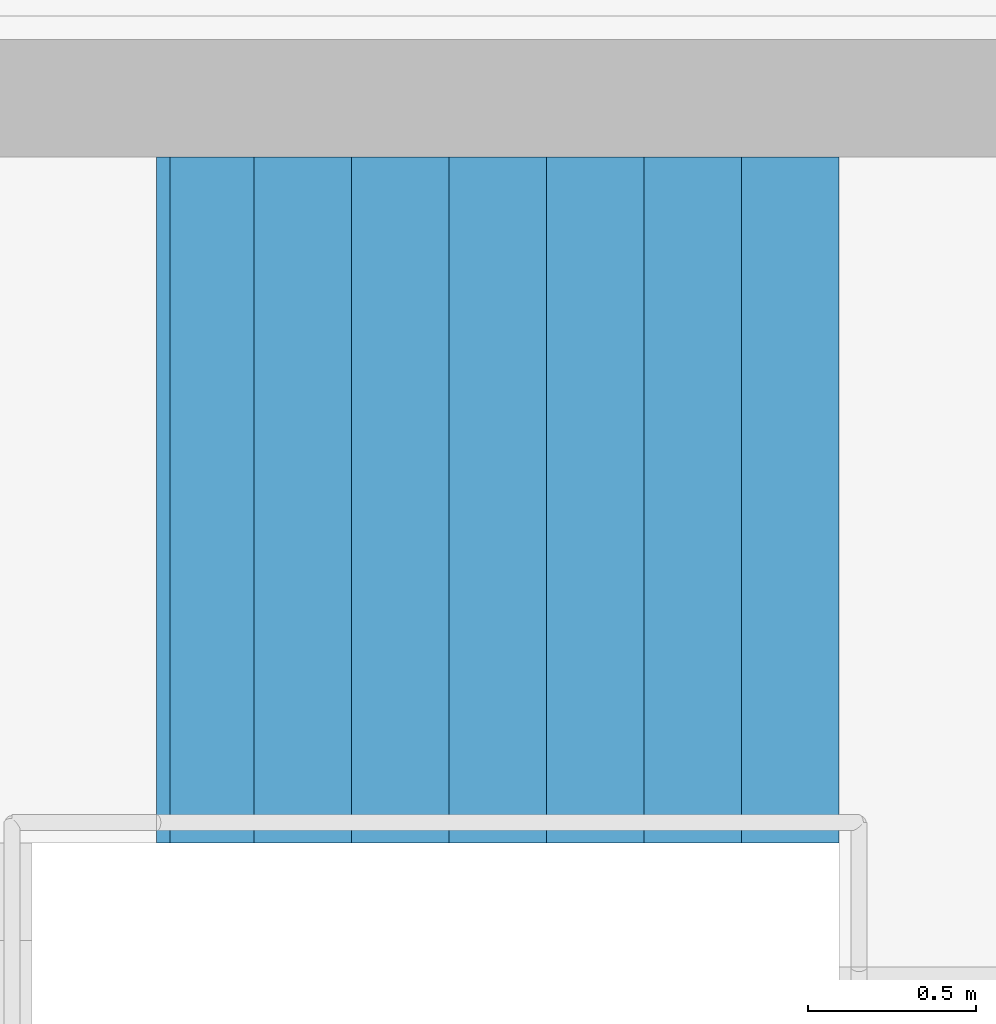
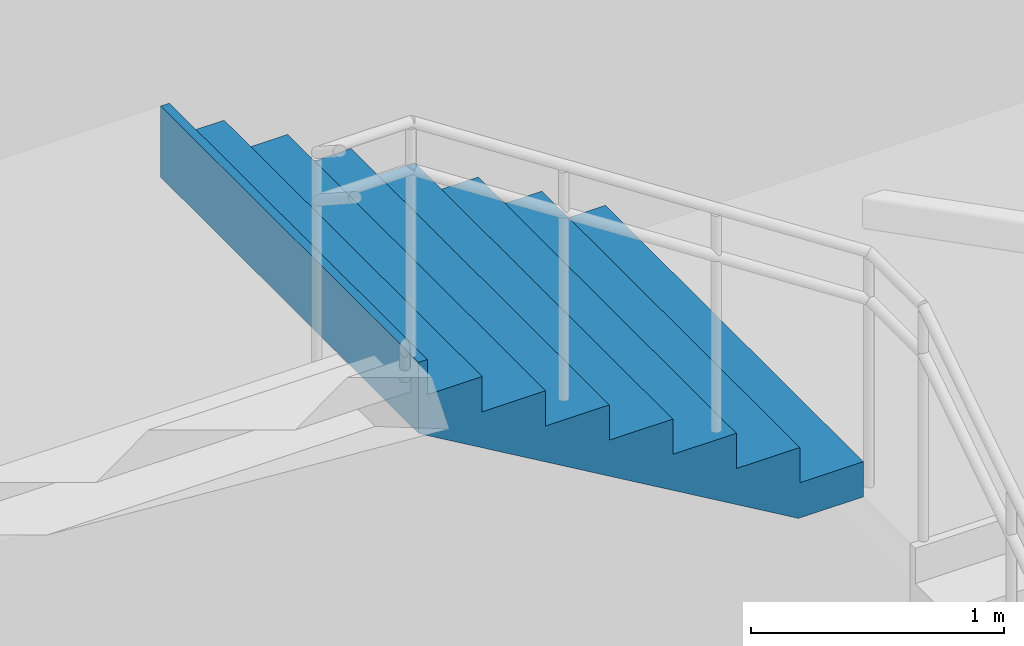
# One storey, part 57 of 74: 1 stair flight, 1 element without a shape of its own.
"""IFC4 building model written with IfcOpenShell, lengths in metres."""

from ifc_helpers import new_model, si_unit, direction, frame, origin, place, context, subcontext, project, spatial, triangles, material, type_object, element, aggregate, save


model = new_model("IFC4")

# Units and contexts
model_context = context("Model", 3, precision=1e-05, world=origin(), true_north=direction((0.0, 1.0)))
body_context = subcontext(model_context, "Body", "Model", "MODEL_VIEW")
ifc_project = project(units=[si_unit("LENGTHUNIT", "METRE"), si_unit("AREAUNIT", "SQUARE_METRE"), si_unit("VOLUMEUNIT", "CUBIC_METRE"), si_unit("PLANEANGLEUNIT", "RADIAN"), si_unit("MASSUNIT", "GRAM", prefix="KILO")], contexts=[model_context])

# Site, building, storey
site_placement = place(None, origin())
site = spatial("IfcSite", under=ifc_project, at=site_placement, CompositionType="ELEMENT")
building_placement = place(site_placement, origin())
building = spatial("IfcBuilding", under=site, at=building_placement, Name="Sillaruma Civic Art Gallery", CompositionType="ELEMENT")
storey_placement = place(building_placement, frame((0.0, 0.0, 5.43994140625)))
storey = spatial("IfcBuildingStorey", under=building, at=storey_placement, Name="L01", CompositionType="ELEMENT", Elevation=5.43994140625)

# Stair, stair flight
ifc_material = material(Name="Concrete H35 (35 MPa)", Category="concrete")
stair_type = type_object("IfcStairType", Name="STR-4F-32", PredefinedType="USERDEFINED", material=ifc_material)
stair_placement = place(storey_placement, origin())
stair = element("IfcStair", 1, at=stair_placement, inside=storey, type_object=stair_type, Name="Protected Exit Stair ST-04 (East Bar) (L01)", ObjectType="THREE_RETURN_STAIR", PredefinedType="USERDEFINED")
stair_flight_type = type_object("IfcStairFlightType", Name="SFL-STR-8", PredefinedType="STRAIGHT", material=ifc_material)
stair_flight_placement = place(storey_placement, frame((103.300048828125, 56.669921875, 2.719970703125), z_axis=(0.0, 0.0, 1.0), x_axis=(-1.0, 0.0, 0.0)))
stair_flight = element("IfcStairFlight", 2, at=stair_flight_placement, type_object=stair_flight_type, Name="ST-04 flight 3", NumberOfRisers=8, NumberOfTreads=7, PredefinedType="STRAIGHT", RiserHeight=0.17, TreadLength=0.29, context=body_context, shape_type="Tessellation", body=[
    triangles([(0.0, -1.02001953125, 0.0), (0.29, -1.02001953125, 0.0), (0.296443, -1.02001953125, 0.0), (0.58, -1.02001953125, 0.166223), (0.87, -1.02001953125, 0.336223), (1.16, -1.02001953125, 0.506223), (1.45, -1.02001953125, 0.676223), (1.74, -1.02001953125, 0.846223), (1.990029, -1.02001953125, 0.992792), (2.030029, -1.02001953125, 1.01624), (2.030029, -1.02001953125, 1.36), (1.990029, -1.02001953125, 1.36), (1.990029, -1.02001953125, 1.19), (1.74, -1.02001953125, 1.19), (1.74, -1.02001953125, 1.02), (1.45, -1.02001953125, 1.02), (1.45, -1.02001953125, 0.85), (1.16, -1.02001953125, 0.85), (1.16, -1.02001953125, 0.68), (0.87, -1.02001953125, 0.68), (0.87, -1.02001953125, 0.51), (0.58, -1.02001953125, 0.51), (0.58, -1.02001953125, 0.34), (0.296443, -1.02001953125, 0.34), (0.29, -1.02001953125, 0.34), (0.29, -1.02001953125, 0.17), (0.0, -1.02001953125, 0.17), (0.0, -0.05, 0.0), (0.29, -0.05, 0.0), (0.296443, -0.05, 0.0), (0.58, -0.05, 0.166223), (0.87, -0.05, 0.336223), (1.16, -0.05, 0.506223), (1.45, -0.05, 0.676223), (1.74, -0.05, 0.846223), (1.990029, -0.05, 0.992792), (2.030029, -0.05, 1.01624), (2.030029, -0.05, 1.36), (1.990029, -0.05, 1.36), (1.990029, -0.05, 1.19), (1.74, -0.05, 1.19), (1.74, -0.05, 1.02), (1.45, -0.05, 1.02), (1.45, -0.05, 0.85), (1.16, -0.05, 0.85), (1.16, -0.05, 0.68), (0.87, -0.05, 0.68), (0.87, -0.05, 0.51), (0.58, -0.05, 0.51), (0.58, -0.05, 0.34), (0.296443, -0.05, 0.34), (0.29, -0.05, 0.34), (0.29, -0.05, 0.17), (0.0, -0.05, 0.17), (0.0, -0.0375, 0.0), (0.29, -0.0375, 0.0), (0.296443, -0.0375, 0.0), (0.58, -0.0375, 0.166223), (0.87, -0.0375, 0.336223), (1.16, -0.0375, 0.506223), (1.45, -0.0375, 0.676223), (1.74, -0.0375, 0.846223), (1.990029, -0.0375, 0.992792), (2.030029, -0.0375, 1.01624), (2.030029, -0.0375, 1.36), (1.990029, -0.0375, 1.36), (1.990029, -0.0375, 1.19), (1.74, -0.0375, 1.19), (1.74, -0.0375, 1.02), (1.45, -0.0375, 1.02), (1.45, -0.0375, 0.85), (1.16, -0.0375, 0.85), (1.16, -0.0375, 0.68), (0.87, -0.0375, 0.68), (0.87, -0.0375, 0.51), (0.58, -0.0375, 0.51), (0.58, -0.0375, 0.34), (0.296443, -0.0375, 0.34), (0.29, -0.0375, 0.34), (0.29, -0.0375, 0.17), (0.0, -0.0375, 0.17), (0.0, -0.025, 0.0), (0.29, -0.025, 0.0), (0.296443, -0.025, 0.0), (0.58, -0.025, 0.166223), (0.87, -0.025, 0.336223), (1.16, -0.025, 0.506223), (1.45, -0.025, 0.676223), (1.74, -0.025, 0.846223), (1.990029, -0.025, 0.992792), (2.030029, -0.025, 1.01624), (2.030029, -0.025, 1.36), (1.990029, -0.025, 1.36), (1.990029, -0.025, 1.19), (1.74, -0.025, 1.19), (1.74, -0.025, 1.02), (1.45, -0.025, 1.02), (1.45, -0.025, 0.85), (1.16, -0.025, 0.85), (1.16, -0.025, 0.68), (0.87, -0.025, 0.68), (0.87, -0.025, 0.51), (0.58, -0.025, 0.51), (0.58, -0.025, 0.34), (0.296443, -0.025, 0.34), (0.29, -0.025, 0.34), (0.29, -0.025, 0.17), (0.0, -0.025, 0.17), (0.0, -0.0125, 0.0), (0.29, -0.0125, 0.0), (0.296443, -0.0125, 0.0), (0.58, -0.0125, 0.166223), (0.87, -0.0125, 0.336223), (1.16, -0.0125, 0.506223), (1.45, -0.0125, 0.676223), (1.74, -0.0125, 0.846223), (1.990029, -0.0125, 0.992792), (2.030029, -0.0125, 1.01624), (2.030029, -0.0125, 1.36), (1.990029, -0.0125, 1.36), (1.990029, -0.0125, 1.19), (1.74, -0.0125, 1.19), (1.74, -0.0125, 1.02), (1.45, -0.0125, 1.02), (1.45, -0.0125, 0.85), (1.16, -0.0125, 0.85), (1.16, -0.0125, 0.68), (0.87, -0.0125, 0.68), (0.87, -0.0125, 0.51), (0.58, -0.0125, 0.51), (0.58, -0.0125, 0.34), (0.296443, -0.0125, 0.34), (0.29, -0.0125, 0.34), (0.29, -0.0125, 0.17), (0.0, -0.0125, 0.17), (0.0, 0.0, 0.0), (0.29, 0.0, 0.0), (0.296443, 0.0, 0.0), (0.58, 0.0, 0.166223), (0.87, 0.0, 0.336223), (1.16, 0.0, 0.506223), (1.45, 0.0, 0.676223), (1.74, 0.0, 0.846223), (1.990029, 0.0, 0.992792), (2.030029, 0.0, 1.01624), (2.030029, 0.0, 1.36), (1.990029, 0.0, 1.36), (1.990029, 0.0, 1.19), (1.74, 0.0, 1.19), (1.74, 0.0, 1.02), (1.45, 0.0, 1.02), (1.45, 0.0, 0.85), (1.16, 0.0, 0.85), (1.16, 0.0, 0.68), (0.87, 0.0, 0.68), (0.87, 0.0, 0.51), (0.58, 0.0, 0.51), (0.58, 0.0, 0.34), (0.296443, 0.0, 0.34), (0.29, 0.0, 0.34), (0.29, 0.0, 0.17), (0.0, 0.0, 0.17), (0.0, 0.0125, 0.0), (0.29, 0.0125, 0.0), (0.296443, 0.0125, 0.0), (0.58, 0.0125, 0.166223), (0.87, 0.0125, 0.336223), (1.16, 0.0125, 0.506223), (1.45, 0.0125, 0.676223), (1.74, 0.0125, 0.846223), (1.990029, 0.0125, 0.992792), (2.030029, 0.0125, 1.01624), (2.030029, 0.0125, 1.36), (1.990029, 0.0125, 1.36), (1.990029, 0.0125, 1.19), (1.74, 0.0125, 1.19), (1.74, 0.0125, 1.02), (1.45, 0.0125, 1.02), (1.45, 0.0125, 0.85), (1.16, 0.0125, 0.85), (1.16, 0.0125, 0.68), (0.87, 0.0125, 0.68), (0.87, 0.0125, 0.51), (0.58, 0.0125, 0.51), (0.58, 0.0125, 0.34), (0.296443, 0.0125, 0.34), (0.29, 0.0125, 0.34), (0.29, 0.0125, 0.17), (0.0, 0.0125, 0.17), (0.0, 0.025, 0.0), (0.29, 0.025, 0.0), (0.296443, 0.025, 0.0), (0.58, 0.025, 0.166223), (0.87, 0.025, 0.336223), (1.16, 0.025, 0.506223), (1.45, 0.025, 0.676223), (1.74, 0.025, 0.846223), (1.990029, 0.025, 0.992792), (2.030029, 0.025, 1.01624), (2.030029, 0.025, 1.36), (1.990029, 0.025, 1.36), (1.990029, 0.025, 1.19), (1.74, 0.025, 1.19), (1.74, 0.025, 1.02), (1.45, 0.025, 1.02), (1.45, 0.025, 0.85), (1.16, 0.025, 0.85), (1.16, 0.025, 0.68), (0.87, 0.025, 0.68), (0.87, 0.025, 0.51), (0.58, 0.025, 0.51), (0.58, 0.025, 0.34), (0.296443, 0.025, 0.34), (0.29, 0.025, 0.34), (0.29, 0.025, 0.17), (0.0, 0.025, 0.17), (0.0, 0.0375, 0.0), (0.29, 0.0375, 0.0), (0.296443, 0.0375, 0.0), (0.58, 0.0375, 0.166223), (0.87, 0.0375, 0.336223), (1.16, 0.0375, 0.506223), (1.45, 0.0375, 0.676223), (1.74, 0.0375, 0.846223), (1.990029, 0.0375, 0.992792), (2.030029, 0.0375, 1.01624), (2.030029, 0.0375, 1.36), (1.990029, 0.0375, 1.36), (1.990029, 0.0375, 1.19), (1.74, 0.0375, 1.19), (1.74, 0.0375, 1.02), (1.45, 0.0375, 1.02), (1.45, 0.0375, 0.85), (1.16, 0.0375, 0.85), (1.16, 0.0375, 0.68), (0.87, 0.0375, 0.68), (0.87, 0.0375, 0.51), (0.58, 0.0375, 0.51), (0.58, 0.0375, 0.34), (0.296443, 0.0375, 0.34), (0.29, 0.0375, 0.34), (0.29, 0.0375, 0.17), (0.0, 0.0375, 0.17), (0.0, 0.05, 0.0), (0.29, 0.05, 0.0), (0.296443, 0.05, 0.0), (0.58, 0.05, 0.166223), (0.87, 0.05, 0.336223), (1.16, 0.05, 0.506223), (1.45, 0.05, 0.676223), (1.74, 0.05, 0.846223), (1.990029, 0.05, 0.992792), (2.030029, 0.05, 1.01624), (2.030029, 0.05, 1.36), (1.990029, 0.05, 1.36), (1.990029, 0.05, 1.19), (1.74, 0.05, 1.19), (1.74, 0.05, 1.02), (1.45, 0.05, 1.02), (1.45, 0.05, 0.85), (1.16, 0.05, 0.85), (1.16, 0.05, 0.68), (0.87, 0.05, 0.68), (0.87, 0.05, 0.51), (0.58, 0.05, 0.51), (0.58, 0.05, 0.34), (0.296443, 0.05, 0.34), (0.29, 0.05, 0.34), (0.29, 0.05, 0.17), (0.0, 0.05, 0.17), (0.0, 1.02001953125, 0.0), (0.29, 1.02001953125, 0.0), (0.296443, 1.02001953125, 0.0), (0.58, 1.02001953125, 0.166223), (0.87, 1.02001953125, 0.336223), (1.16, 1.02001953125, 0.506223), (1.45, 1.02001953125, 0.676223), (1.74, 1.02001953125, 0.846223), (1.990029, 1.02001953125, 0.992792), (2.030029, 1.02001953125, 1.01624), (2.030029, 1.02001953125, 1.36), (1.990029, 1.02001953125, 1.36), (1.990029, 1.02001953125, 1.19), (1.74, 1.02001953125, 1.19), (1.74, 1.02001953125, 1.02), (1.45, 1.02001953125, 1.02), (1.45, 1.02001953125, 0.85), (1.16, 1.02001953125, 0.85), (1.16, 1.02001953125, 0.68), (0.87, 1.02001953125, 0.68), (0.87, 1.02001953125, 0.51), (0.58, 1.02001953125, 0.51), (0.58, 1.02001953125, 0.34), (0.296443, 1.02001953125, 0.34), (0.29, 1.02001953125, 0.34), (0.29, 1.02001953125, 0.17), (0.0, 1.02001953125, 0.17)], [[1, 2, 26], [1, 26, 27], [2, 3, 24], [2, 24, 26], [26, 24, 25], [3, 4, 23], [3, 23, 24], [4, 5, 21], [4, 21, 23], [23, 21, 22], [5, 6, 19], [5, 19, 21], [21, 19, 20], [6, 7, 17], [6, 17, 19], [19, 17, 18], [7, 8, 15], [7, 15, 17], [17, 15, 16], [8, 9, 13], [8, 13, 15], [15, 13, 14], [9, 10, 11], [9, 11, 13], [13, 11, 12], [296, 272, 271], [297, 296, 271], [294, 273, 272], [296, 294, 272], [295, 294, 296], [293, 274, 273], [294, 293, 273], [291, 275, 274], [293, 291, 274], [292, 291, 293], [289, 276, 275], [291, 289, 275], [290, 289, 291], [287, 277, 276], [289, 287, 276], [288, 287, 289], [285, 278, 277], [287, 285, 277], [286, 285, 287], [283, 279, 278], [285, 283, 278], [284, 283, 285], [281, 280, 279], [283, 281, 279], [282, 281, 283], [2, 1, 28], [2, 28, 29], [3, 2, 29], [3, 29, 30], [4, 3, 30], [4, 30, 31], [5, 4, 31], [5, 31, 32], [6, 5, 32], [6, 32, 33], [7, 6, 33], [7, 33, 34], [8, 7, 34], [8, 34, 35], [9, 8, 35], [9, 35, 36], [10, 9, 36], [10, 36, 37], [11, 10, 37], [11, 37, 38], [12, 11, 38], [12, 38, 39], [13, 12, 39], [13, 39, 40], [14, 13, 40], [14, 40, 41], [15, 14, 41], [15, 41, 42], [16, 15, 42], [16, 42, 43], [17, 16, 43], [17, 43, 44], [18, 17, 44], [18, 44, 45], [19, 18, 45], [19, 45, 46], [20, 19, 46], [20, 46, 47], [21, 20, 47], [21, 47, 48], [22, 21, 48], [22, 48, 49], [23, 22, 49], [23, 49, 50], [24, 23, 50], [24, 50, 51], [25, 24, 51], [25, 51, 52], [26, 25, 52], [26, 52, 53], [27, 26, 53], [27, 53, 54], [1, 27, 54], [1, 54, 28], [29, 28, 55], [29, 55, 56], [30, 29, 56], [30, 56, 57], [31, 30, 57], [31, 57, 58], [32, 31, 58], [32, 58, 59], [33, 32, 59], [33, 59, 60], [34, 33, 60], [34, 60, 61], [35, 34, 61], [35, 61, 62], [36, 35, 62], [36, 62, 63], [37, 36, 63], [37, 63, 64], [38, 37, 64], [38, 64, 65], [39, 38, 65], [39, 65, 66], [40, 39, 66], [40, 66, 67], [41, 40, 67], [41, 67, 68], [42, 41, 68], [42, 68, 69], [43, 42, 69], [43, 69, 70], [44, 43, 70], [44, 70, 71], [45, 44, 71], [45, 71, 72], [46, 45, 72], [46, 72, 73], [47, 46, 73], [47, 73, 74], [48, 47, 74], [48, 74, 75], [49, 48, 75], [49, 75, 76], [50, 49, 76], [50, 76, 77], [51, 50, 77], [51, 77, 78], [52, 51, 78], [52, 78, 79], [53, 52, 79], [53, 79, 80], [54, 53, 80], [54, 80, 81], [28, 54, 81], [28, 81, 55], [56, 55, 82], [56, 82, 83], [57, 56, 83], [57, 83, 84], [58, 57, 84], [58, 84, 85], [59, 58, 85], [59, 85, 86], [60, 59, 86], [60, 86, 87], [61, 60, 87], [61, 87, 88], [62, 61, 88], [62, 88, 89], [63, 62, 89], [63, 89, 90], [64, 63, 90], [64, 90, 91], [65, 64, 91], [65, 91, 92], [66, 65, 92], [66, 92, 93], [67, 66, 93], [67, 93, 94], [68, 67, 94], [68, 94, 95], [69, 68, 95], [69, 95, 96], [70, 69, 96], [70, 96, 97], [71, 70, 97], [71, 97, 98], [72, 71, 98], [72, 98, 99], [73, 72, 99], [73, 99, 100], [74, 73, 100], [74, 100, 101], [75, 74, 101], [75, 101, 102], [76, 75, 102], [76, 102, 103], [77, 76, 103], [77, 103, 104], [78, 77, 104], [78, 104, 105], [79, 78, 105], [79, 105, 106], [80, 79, 106], [80, 106, 107], [81, 80, 107], [81, 107, 108], [55, 81, 108], [55, 108, 82], [83, 82, 109], [83, 109, 110], [84, 83, 110], [84, 110, 111], [85, 84, 111], [85, 111, 112], [86, 85, 112], [86, 112, 113], [87, 86, 113], [87, 113, 114], [88, 87, 114], [88, 114, 115], [89, 88, 115], [89, 115, 116], [90, 89, 116], [90, 116, 117], [91, 90, 117], [91, 117, 118], [92, 91, 118], [92, 118, 119], [93, 92, 119], [93, 119, 120], [94, 93, 120], [94, 120, 121], [95, 94, 121], [95, 121, 122], [96, 95, 122], [96, 122, 123], [97, 96, 123], [97, 123, 124], [98, 97, 124], [98, 124, 125], [99, 98, 125], [99, 125, 126], [100, 99, 126], [100, 126, 127], [101, 100, 127], [101, 127, 128], [102, 101, 128], [102, 128, 129], [103, 102, 129], [103, 129, 130], [104, 103, 130], [104, 130, 131], [105, 104, 131], [105, 131, 132], [106, 105, 132], [106, 132, 133], [107, 106, 133], [107, 133, 134], [108, 107, 134], [108, 134, 135], [82, 108, 135], [82, 135, 109], [110, 109, 136], [110, 136, 137], [111, 110, 137], [111, 137, 138], [112, 111, 138], [112, 138, 139], [113, 112, 139], [113, 139, 140], [114, 113, 140], [114, 140, 141], [115, 114, 141], [115, 141, 142], [116, 115, 142], [116, 142, 143], [117, 116, 143], [117, 143, 144], [118, 117, 144], [118, 144, 145], [119, 118, 145], [119, 145, 146], [120, 119, 146], [120, 146, 147], [121, 120, 147], [121, 147, 148], [122, 121, 148], [122, 148, 149], [123, 122, 149], [123, 149, 150], [124, 123, 150], [124, 150, 151], [125, 124, 151], [125, 151, 152], [126, 125, 152], [126, 152, 153], [127, 126, 153], [127, 153, 154], [128, 127, 154], [128, 154, 155], [129, 128, 155], [129, 155, 156], [130, 129, 156], [130, 156, 157], [131, 130, 157], [131, 157, 158], [132, 131, 158], [132, 158, 159], [133, 132, 159], [133, 159, 160], [134, 133, 160], [134, 160, 161], [135, 134, 161], [135, 161, 162], [109, 135, 162], [109, 162, 136], [137, 136, 163], [137, 163, 164], [138, 137, 164], [138, 164, 165], [139, 138, 165], [139, 165, 166], [140, 139, 166], [140, 166, 167], [141, 140, 167], [141, 167, 168], [142, 141, 168], [142, 168, 169], [143, 142, 169], [143, 169, 170], [144, 143, 170], [144, 170, 171], [145, 144, 171], [145, 171, 172], [146, 145, 172], [146, 172, 173], [147, 146, 173], [147, 173, 174], [148, 147, 174], [148, 174, 175], [149, 148, 175], [149, 175, 176], [150, 149, 176], [150, 176, 177], [151, 150, 177], [151, 177, 178], [152, 151, 178], [152, 178, 179], [153, 152, 179], [153, 179, 180], [154, 153, 180], [154, 180, 181], [155, 154, 181], [155, 181, 182], [156, 155, 182], [156, 182, 183], [157, 156, 183], [157, 183, 184], [158, 157, 184], [158, 184, 185], [159, 158, 185], [159, 185, 186], [160, 159, 186], [160, 186, 187], [161, 160, 187], [161, 187, 188], [162, 161, 188], [162, 188, 189], [136, 162, 189], [136, 189, 163], [164, 163, 190], [164, 190, 191], [165, 164, 191], [165, 191, 192], [166, 165, 192], [166, 192, 193], [167, 166, 193], [167, 193, 194], [168, 167, 194], [168, 194, 195], [169, 168, 195], [169, 195, 196], [170, 169, 196], [170, 196, 197], [171, 170, 197], [171, 197, 198], [172, 171, 198], [172, 198, 199], [173, 172, 199], [173, 199, 200], [174, 173, 200], [174, 200, 201], [175, 174, 201], [175, 201, 202], [176, 175, 202], [176, 202, 203], [177, 176, 203], [177, 203, 204], [178, 177, 204], [178, 204, 205], [179, 178, 205], [179, 205, 206], [180, 179, 206], [180, 206, 207], [181, 180, 207], [181, 207, 208], [182, 181, 208], [182, 208, 209], [183, 182, 209], [183, 209, 210], [184, 183, 210], [184, 210, 211], [185, 184, 211], [185, 211, 212], [186, 185, 212], [186, 212, 213], [187, 186, 213], [187, 213, 214], [188, 187, 214], [188, 214, 215], [189, 188, 215], [189, 215, 216], [163, 189, 216], [163, 216, 190], [191, 190, 217], [191, 217, 218], [192, 191, 218], [192, 218, 219], [193, 192, 219], [193, 219, 220], [194, 193, 220], [194, 220, 221], [195, 194, 221], [195, 221, 222], [196, 195, 222], [196, 222, 223], [197, 196, 223], [197, 223, 224], [198, 197, 224], [198, 224, 225], [199, 198, 225], [199, 225, 226], [200, 199, 226], [200, 226, 227], [201, 200, 227], [201, 227, 228], [202, 201, 228], [202, 228, 229], [203, 202, 229], [203, 229, 230], [204, 203, 230], [204, 230, 231], [205, 204, 231], [205, 231, 232], [206, 205, 232], [206, 232, 233], [207, 206, 233], [207, 233, 234], [208, 207, 234], [208, 234, 235], [209, 208, 235], [209, 235, 236], [210, 209, 236], [210, 236, 237], [211, 210, 237], [211, 237, 238], [212, 211, 238], [212, 238, 239], [213, 212, 239], [213, 239, 240], [214, 213, 240], [214, 240, 241], [215, 214, 241], [215, 241, 242], [216, 215, 242], [216, 242, 243], [190, 216, 243], [190, 243, 217], [218, 217, 244], [218, 244, 245], [219, 218, 245], [219, 245, 246], [220, 219, 246], [220, 246, 247], [221, 220, 247], [221, 247, 248], [222, 221, 248], [222, 248, 249], [223, 222, 249], [223, 249, 250], [224, 223, 250], [224, 250, 251], [225, 224, 251], [225, 251, 252], [226, 225, 252], [226, 252, 253], [227, 226, 253], [227, 253, 254], [228, 227, 254], [228, 254, 255], [229, 228, 255], [229, 255, 256], [230, 229, 256], [230, 256, 257], [231, 230, 257], [231, 257, 258], [232, 231, 258], [232, 258, 259], [233, 232, 259], [233, 259, 260], [234, 233, 260], [234, 260, 261], [235, 234, 261], [235, 261, 262], [236, 235, 262], [236, 262, 263], [237, 236, 263], [237, 263, 264], [238, 237, 264], [238, 264, 265], [239, 238, 265], [239, 265, 266], [240, 239, 266], [240, 266, 267], [241, 240, 267], [241, 267, 268], [242, 241, 268], [242, 268, 269], [243, 242, 269], [243, 269, 270], [217, 243, 270], [217, 270, 244], [245, 244, 271], [245, 271, 272], [246, 245, 272], [246, 272, 273], [247, 246, 273], [247, 273, 274], [248, 247, 274], [248, 274, 275], [249, 248, 275], [249, 275, 276], [250, 249, 276], [250, 276, 277], [251, 250, 277], [251, 277, 278], [252, 251, 278], [252, 278, 279], [253, 252, 279], [253, 279, 280], [254, 253, 280], [254, 280, 281], [255, 254, 281], [255, 281, 282], [256, 255, 282], [256, 282, 283], [257, 256, 283], [257, 283, 284], [258, 257, 284], [258, 284, 285], [259, 258, 285], [259, 285, 286], [260, 259, 286], [260, 286, 287], [261, 260, 287], [261, 287, 288], [262, 261, 288], [262, 288, 289], [263, 262, 289], [263, 289, 290], [264, 263, 290], [264, 290, 291], [265, 264, 291], [265, 291, 292], [266, 265, 292], [266, 292, 293], [267, 266, 293], [267, 293, 294], [268, 267, 294], [268, 294, 295], [269, 268, 295], [269, 295, 296], [270, 269, 296], [270, 296, 297], [244, 270, 297], [244, 297, 271]], closed=True),
])
aggregate(stair, [stair_flight])

save(model, "model.ifc")
